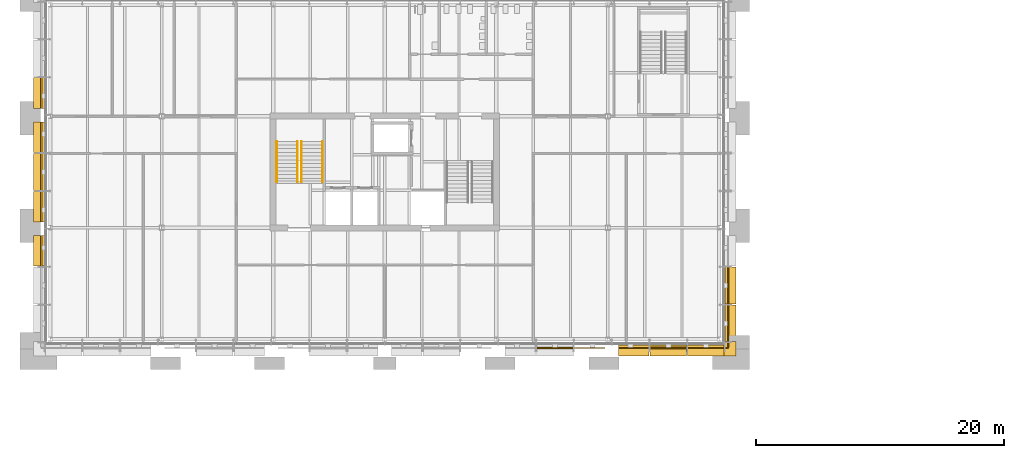
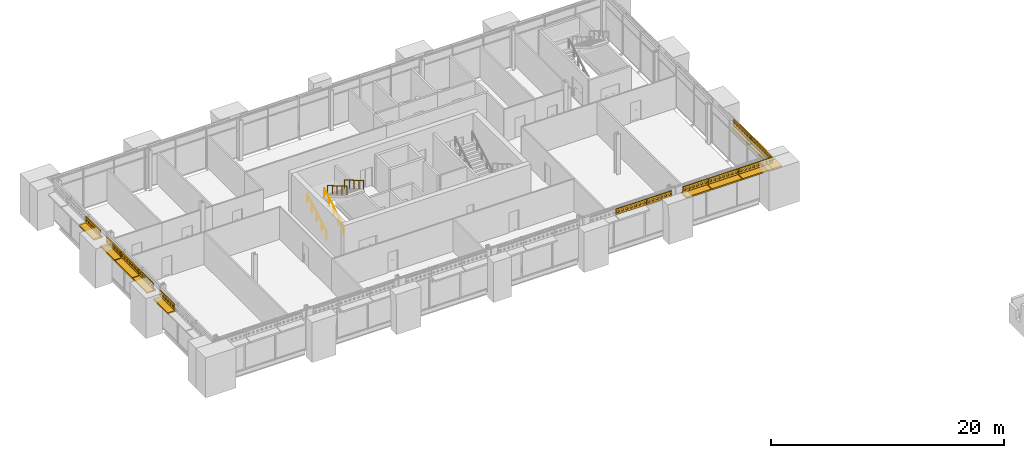
# One storey, part 32 of 37: 23 shading devices, 4 railings.
"""IFC4 building model written with IfcOpenShell, lengths in metres."""

from ifc_helpers import new_model, si_unit, direction, frame, origin, origin_2d, place, context, subcontext, project, spatial, polyline, rectangle, circle, outline, extrude, material, layer, layer_set, type_object, element, save


model = new_model("IFC4")

# Units and contexts
model_context = context("Model", 3, precision=1e-05, world=origin(), true_north=direction((0.0, 1.0)))
body_context = subcontext(model_context, "Body", "Model", "MODEL_VIEW")
ifc_project = project(units=[si_unit("LENGTHUNIT", "METRE"), si_unit("AREAUNIT", "SQUARE_METRE"), si_unit("VOLUMEUNIT", "CUBIC_METRE"), si_unit("PLANEANGLEUNIT", "RADIAN"), si_unit("MASSUNIT", "GRAM", prefix="KILO")], contexts=[model_context])

# Site, building, storey
site_placement = place(None, origin())
site = spatial("IfcSite", under=ifc_project, at=site_placement, CompositionType="ELEMENT")
building_placement = place(site_placement, origin())
building = spatial("IfcBuilding", under=site, at=building_placement, Name="Baradari Gate Terminus", CompositionType="ELEMENT")
storey_placement = place(building_placement, frame((0.0, 0.0, 24.300048828125)))
storey = spatial("IfcBuildingStorey", under=building, at=storey_placement, Name="L05", CompositionType="ELEMENT", Elevation=24.300048828125)

# Shading devices
ifc_material_1 = material(Name="Concrete C40/50 precast", Category="concrete")
ifc_layer_1 = layer(ifc_material_1, 0.14990234375)
ifc_layer_set_1 = layer_set([ifc_layer_1], Name="Concrete C40/50 precast")
shading_device_type_1 = type_object("IfcShadingDeviceType", Name="Chhajja band CJ-1 900x150", PredefinedType="AWNING", material=ifc_layer_set_1)
shading_device_1_placement = place(storey_placement, frame((56.094482421875, 116.080078125, 3.33251953125), z_axis=(0.0, 0.0, 1.0), x_axis=(1.0, 0.0, 0.0)))
element("IfcShadingDevice", 1, at=shading_device_1_placement, inside=storey, type_object=shading_device_type_1, Name="Chhajja band CJ-1 L05/TS bay 16", PredefinedType="AWNING", context=body_context, shape_type="SweptSolid", body=[
    extrude(rectangle(XDim=2.462158203125, YDim=0.89990234375, at=origin_2d()), origin(), (0.0, 0.0, 1.0), 0.14990234375),
])
shading_device_2_placement = place(storey_placement, frame((58.8916015625, 116.080078125, 3.33251953125), z_axis=(0.0, 0.0, 1.0), x_axis=(1.0, 0.0, 0.0)))
element("IfcShadingDevice", 2, at=shading_device_2_placement, inside=storey, type_object=shading_device_type_1, Name="Chhajja band CJ-1 L05/TS bay 17", PredefinedType="AWNING", context=body_context, shape_type="SweptSolid", body=[
    extrude(rectangle(XDim=2.97216796875, YDim=0.89990234375, at=origin_2d()), origin(), (0.0, 0.0, 1.0), 0.14990234375),
])
shading_device_3_placement = place(storey_placement, frame((61.927734375, 116.080078125, 3.33251953125), z_axis=(0.0, 0.0, 1.0), x_axis=(1.0, 0.0, 0.0)))
element("IfcShadingDevice", 3, at=shading_device_3_placement, inside=storey, type_object=shading_device_type_1, Name="Chhajja band CJ-1 L05/TS bay 18", PredefinedType="AWNING", context=body_context, shape_type="SweptSolid", body=[
    extrude(rectangle(XDim=2.939697265625, YDim=0.89990234375, at=origin_2d()), origin(), (0.0, 0.0, 1.0), 0.14990234375),
])
for number, where, z_axis, x_axis, name in (
    (4, (8.080078125, 124.125, 3.33251953125), (0.0, 0.0, 1.0), (0.0, 1.0, 0.0), "Chhajja band CJ-1 L05/TW bay 3"),
    (5, (8.080078125, 127.695068359375, 3.33251953125), (0.0, 0.0, 1.0), (0.0, 1.0, 0.0), "Chhajja band CJ-1 L05/TW bay 4"),
):
    element("IfcShadingDevice", number, at=place(storey_placement, frame(where, z_axis=z_axis, x_axis=x_axis)), inside=storey, type_object=shading_device_type_1, Name=name, PredefinedType="AWNING", context=body_context, shape_type="SweptSolid", body=[
        extrude(rectangle(XDim=2.469970703125, YDim=0.89990234375, at=origin_2d()), origin(), (0.0, 0.0, 1.0), 0.14990234375),
    ])
shading_device_4_placement = place(storey_placement, frame((8.080078125, 130.5, 3.33251953125), z_axis=(0.0, 0.0, 1.0), x_axis=(0.0, 1.0, 0.0)))
element("IfcShadingDevice", 6, at=shading_device_4_placement, inside=storey, type_object=shading_device_type_1, Name="Chhajja band CJ-1 L05/TW bay 5", PredefinedType="AWNING", context=body_context, shape_type="SweptSolid", body=[
    extrude(rectangle(XDim=2.97998046875, YDim=0.89990234375, at=origin_2d()), origin(), (0.0, 0.0, 1.0), 0.14990234375),
])
for number, where, z_axis, x_axis, name in (
    (7, (8.080078125, 133.304931640625, 3.33251953125), (0.0, 0.0, 1.0), (0.0, 1.0, 0.0), "Chhajja band CJ-1 L05/TW bay 6"),
    (8, (8.080078125, 136.875, 3.33251953125), (0.0, 0.0, 1.0), (0.0, 1.0, 0.0), "Chhajja band CJ-1 L05/TW bay 7"),
):
    element("IfcShadingDevice", number, at=place(storey_placement, frame(where, z_axis=z_axis, x_axis=x_axis)), inside=storey, type_object=shading_device_type_1, Name=name, PredefinedType="AWNING", context=body_context, shape_type="SweptSolid", body=[
        extrude(rectangle(XDim=2.469970703125, YDim=0.89990234375, at=origin_2d()), origin(), (0.0, 0.0, 1.0), 0.14990234375),
    ])
shading_device_5_placement = place(storey_placement, frame((63.919921875, 118.2763671875, 3.33251953125), z_axis=(0.0, 0.0, 1.0), x_axis=(0.0, 1.0, 0.0)))
element("IfcShadingDevice", 9, at=shading_device_5_placement, inside=storey, type_object=shading_device_type_1, Name="Chhajja band CJ-1 L05/TE bay 1", PredefinedType="AWNING", context=body_context, shape_type="SweptSolid", body=[
    extrude(rectangle(XDim=2.947509765625, YDim=0.89990234375, at=origin_2d()), origin(), (0.0, 0.0, 1.0), 0.14990234375),
])
shading_device_6_placement = place(storey_placement, frame((63.919921875, 121.320068359375, 3.33251953125), z_axis=(0.0, 0.0, 1.0), x_axis=(0.0, 1.0, 0.0)))
element("IfcShadingDevice", 10, at=shading_device_6_placement, inside=storey, type_object=shading_device_type_1, Name="Chhajja band CJ-1 L05/TE bay 2", PredefinedType="AWNING", context=body_context, shape_type="SweptSolid", body=[
    extrude(rectangle(XDim=2.97998046875, YDim=0.89990234375, at=origin_2d()), origin(), (0.0, 0.0, 1.0), 0.14990234375),
])
shading_device_7_placement = place(storey_placement, frame((0.0, 0.0, 3.33251953125)))
element("IfcShadingDevice", 11, at=shading_device_7_placement, inside=storey, type_object=shading_device_type_1, Name="Chhajja band CJ-1 L05/SE corner", PredefinedType="AWNING", context=body_context, shape_type="SweptSolid", body=[
    extrude(outline(polyline([(64.3701171875, 116.802490234375), (63.469970703125, 116.802490234375), (63.469970703125, 116.530029296875), (63.3974609375, 116.530029296875), (63.3974609375, 115.6298828125), (64.3701171875, 115.6298828125), (64.3701171875, 116.802490234375)])), origin(), (0.0, 0.0, 1.0), 0.14990234375),
])

# Railings
ifc_material_2 = material(Name="Stainless steel 1.4301", Category="steel")
railing_type = type_object("IfcRailingType", Name="Handrail HR-1 900", PredefinedType="HANDRAIL", material=ifc_material_2)
for number, where, name in (
    (12, (27.284912109375, 129.675048828125, 0.175048828125), "Handrail ST-T1 L05 flight 1"),
    (13, (28.965087890625, 129.675048828125, 0.175048828125), "Handrail ST-T1 L05 flight 1"),
):
    element("IfcRailing", number, at=place(storey_placement, frame(where)), inside=storey, type_object=railing_type, Name=name, PredefinedType="HANDRAIL", context=body_context, shape_type="SweptSolid", body=[
        extrude(circle(Radius=0.02392578125, at=origin_2d()), frame((0.0, 0.0, 0.8759765625), z_axis=(0.0, 0.863804395585, 0.503827317807), x_axis=(-1.0, 0.0, 0.0)), (0.0, 0.0, 1.0), 3.8203125),
        extrude(circle(Radius=0.02099609375, at=origin_2d()), origin(), (0.0, 0.0, 1.0), 0.851806640625),
        extrude(circle(Radius=0.02099609375, at=origin_2d()), frame((0.0, 0.824951171875, 0.481201171875)), (0.0, 0.0, 1.0), 0.851806640625),
        extrude(circle(Radius=0.02099609375, at=origin_2d()), frame((0.0, 1.64990234375, 0.96240234375)), (0.0, 0.0, 1.0), 0.851806640625),
        extrude(circle(Radius=0.02099609375, at=origin_2d()), frame((0.0, 2.47509765625, 1.443603515625)), (0.0, 0.0, 1.0), 0.851806640625),
        extrude(circle(Radius=0.02099609375, at=origin_2d()), frame((0.0, 3.300048828125, 1.9248046875)), (0.0, 0.0, 1.0), 0.851806640625),
    ])
for number, where, name in (
    (14, (29.284912109375, 132.97509765625, 2.27490234375), "Handrail ST-T1 L05 flight 2"),
    (15, (30.965087890625, 132.97509765625, 2.27490234375), "Handrail ST-T1 L05 flight 2"),
):
    element("IfcRailing", number, at=place(storey_placement, frame(where)), inside=storey, type_object=railing_type, Name=name, PredefinedType="HANDRAIL", context=body_context, shape_type="SweptSolid", body=[
        extrude(circle(Radius=0.02392578125, at=origin_2d()), frame((0.0, 0.0, 0.8759765625), z_axis=(0.0, -0.863776583165, 0.503874998761), x_axis=(1.0, 0.0, 0.0)), (0.0, 0.0, 1.0), 3.820556640625),
        extrude(circle(Radius=0.02099609375, at=origin_2d()), origin(), (0.0, 0.0, 1.0), 0.851806640625),
        extrude(circle(Radius=0.02099609375, at=origin_2d()), frame((0.0, -0.824951171875, 0.481201171875)), (0.0, 0.0, 1.0), 0.851806640625),
        extrude(circle(Radius=0.02099609375, at=origin_2d()), frame((0.0, -1.64990234375, 0.96240234375)), (0.0, 0.0, 1.0), 0.851806640625),
        extrude(circle(Radius=0.02099609375, at=origin_2d()), frame((0.0, -2.47509765625, 1.44384765625)), (0.0, 0.0, 1.0), 0.851806640625),
        extrude(circle(Radius=0.02099609375, at=origin_2d()), frame((0.0, -3.300048828125, 1.925048828125)), (0.0, 0.0, 1.0), 0.851806640625),
    ])

# Shading devices
ifc_material_3 = material(Name="Concrete C50/60 precast", Category="concrete")
ifc_layer_2 = layer(ifc_material_3, 0.10009765625)
ifc_layer_set_2 = layer_set([ifc_layer_2], Name="Concrete C50/60 precast")
shading_device_type_2 = type_object("IfcShadingDeviceType", Name="Jali screen panel JS-1 100", PredefinedType="SHUTTER", material=ifc_layer_set_2)
shading_device_8_placement = place(storey_placement, frame((48.22900390625, 116.280029296875, 3.583740234375), z_axis=(0.0, 0.0, 1.0), x_axis=(1.0, 0.0, 0.0)))
element("IfcShadingDevice", 16, at=shading_device_8_placement, inside=storey, type_object=shading_device_type_2, Name="Jali screen panel JS-1 L05/TS bay 14", PredefinedType="SHUTTER", context=body_context, shape_type="SweptSolid", body=[
    extrude(outline(polyline([(0.0, 0.0), (3.01220703125, 0.0), (3.01220703125, 0.599853515625), (0.0, 0.599853515625), (0.0, 0.0)]), holes=[polyline([(0.34521484375, 0.300048828125), (0.2802734375, 0.187255859375), (0.150146484375, 0.187255859375), (0.085205078125, 0.300048828125), (0.150146484375, 0.41259765625), (0.2802734375, 0.41259765625), (0.34521484375, 0.300048828125)]), polyline([(0.775390625, 0.300048828125), (0.71044921875, 0.187255859375), (0.58056640625, 0.187255859375), (0.515380859375, 0.300048828125), (0.58056640625, 0.41259765625), (0.71044921875, 0.41259765625), (0.775390625, 0.300048828125)]), polyline([(1.205810546875, 0.300048828125), (1.140869140625, 0.187255859375), (1.0107421875, 0.187255859375), (0.94580078125, 0.300048828125), (1.0107421875, 0.41259765625), (1.140869140625, 0.41259765625), (1.205810546875, 0.300048828125)]), polyline([(1.63623046875, 0.300048828125), (1.571044921875, 0.187255859375), (1.441162109375, 0.187255859375), (1.376220703125, 0.300048828125), (1.441162109375, 0.41259765625), (1.571044921875, 0.41259765625), (1.63623046875, 0.300048828125)]), polyline([(2.06640625, 0.300048828125), (2.00146484375, 0.187255859375), (1.871337890625, 0.187255859375), (1.806396484375, 0.300048828125), (1.871337890625, 0.41259765625), (2.00146484375, 0.41259765625), (2.06640625, 0.300048828125)]), polyline([(2.496826171875, 0.300048828125), (2.431640625, 0.187255859375), (2.3017578125, 0.187255859375), (2.23681640625, 0.300048828125), (2.3017578125, 0.41259765625), (2.431640625, 0.41259765625), (2.496826171875, 0.300048828125)]), polyline([(2.927001953125, 0.300048828125), (2.862060546875, 0.187255859375), (2.732177734375, 0.187255859375), (2.6669921875, 0.300048828125), (2.732177734375, 0.41259765625), (2.862060546875, 0.41259765625), (2.927001953125, 0.300048828125)])]), frame((0.0, 0.050048828125, 0.0), z_axis=(0.0, -1.0, 0.0), x_axis=(1.0, 0.0, 0.0)), (0.0, 0.0, 1.0), 0.10009765625),
])
shading_device_9_placement = place(storey_placement, frame((51.281005859375, 116.280029296875, 3.583740234375), z_axis=(0.0, 0.0, 1.0), x_axis=(1.0, 0.0, 0.0)))
element("IfcShadingDevice", 17, at=shading_device_9_placement, inside=storey, type_object=shading_device_type_2, Name="Jali screen panel JS-1 L05/TS bay 15", PredefinedType="SHUTTER", context=body_context, shape_type="SweptSolid", body=[
    extrude(outline(polyline([(0.0, 0.0), (2.482421875, 0.0), (2.482421875, 0.599853515625), (0.0, 0.599853515625), (0.0, 0.0)]), holes=[polyline([(0.3369140625, 0.300048828125), (0.27197265625, 0.187255859375), (0.141845703125, 0.187255859375), (0.076904296875, 0.300048828125), (0.141845703125, 0.41259765625), (0.27197265625, 0.41259765625), (0.3369140625, 0.300048828125)]), polyline([(0.75048828125, 0.300048828125), (0.685546875, 0.187255859375), (0.5556640625, 0.187255859375), (0.490478515625, 0.300048828125), (0.5556640625, 0.41259765625), (0.685546875, 0.41259765625), (0.75048828125, 0.300048828125)]), polyline([(1.164306640625, 0.300048828125), (1.099365234375, 0.187255859375), (0.96923828125, 0.187255859375), (0.904296875, 0.300048828125), (0.96923828125, 0.41259765625), (1.099365234375, 0.41259765625), (1.164306640625, 0.300048828125)]), polyline([(1.577880859375, 0.300048828125), (1.512939453125, 0.187255859375), (1.383056640625, 0.187255859375), (1.31787109375, 0.300048828125), (1.383056640625, 0.41259765625), (1.512939453125, 0.41259765625), (1.577880859375, 0.300048828125)]), polyline([(1.99169921875, 0.300048828125), (1.9267578125, 0.187255859375), (1.796630859375, 0.187255859375), (1.731689453125, 0.300048828125), (1.796630859375, 0.41259765625), (1.9267578125, 0.41259765625), (1.99169921875, 0.300048828125)]), polyline([(2.4052734375, 0.300048828125), (2.34033203125, 0.187255859375), (2.21044921875, 0.187255859375), (2.145263671875, 0.300048828125), (2.21044921875, 0.41259765625), (2.34033203125, 0.41259765625), (2.4052734375, 0.300048828125)])]), frame((0.0, 0.050048828125, 0.0), z_axis=(0.0, -1.0, 0.0), x_axis=(1.0, 0.0, 0.0)), (0.0, 0.0, 1.0), 0.10009765625),
])
shading_device_10_placement = place(storey_placement, frame((54.86328125, 116.280029296875, 3.583740234375), z_axis=(0.0, 0.0, 1.0), x_axis=(1.0, 0.0, 0.0)))
element("IfcShadingDevice", 18, at=shading_device_10_placement, inside=storey, type_object=shading_device_type_2, Name="Jali screen panel JS-1 L05/TS bay 16", PredefinedType="SHUTTER", context=body_context, shape_type="SweptSolid", body=[
    extrude(outline(polyline([(0.0, 0.0), (2.482177734375, 0.0), (2.482177734375, 0.599853515625), (0.0, 0.599853515625), (0.0, 0.0)]), holes=[polyline([(0.3369140625, 0.300048828125), (0.27197265625, 0.187255859375), (0.141845703125, 0.187255859375), (0.076904296875, 0.300048828125), (0.141845703125, 0.41259765625), (0.27197265625, 0.41259765625), (0.3369140625, 0.300048828125)]), polyline([(0.75048828125, 0.300048828125), (0.685546875, 0.187255859375), (0.5556640625, 0.187255859375), (0.490478515625, 0.300048828125), (0.5556640625, 0.41259765625), (0.685546875, 0.41259765625), (0.75048828125, 0.300048828125)]), polyline([(1.164306640625, 0.300048828125), (1.099365234375, 0.187255859375), (0.96923828125, 0.187255859375), (0.904296875, 0.300048828125), (0.96923828125, 0.41259765625), (1.099365234375, 0.41259765625), (1.164306640625, 0.300048828125)]), polyline([(1.577880859375, 0.300048828125), (1.512939453125, 0.187255859375), (1.383056640625, 0.187255859375), (1.31787109375, 0.300048828125), (1.383056640625, 0.41259765625), (1.512939453125, 0.41259765625), (1.577880859375, 0.300048828125)]), polyline([(1.99169921875, 0.300048828125), (1.9267578125, 0.187255859375), (1.796630859375, 0.187255859375), (1.731689453125, 0.300048828125), (1.796630859375, 0.41259765625), (1.9267578125, 0.41259765625), (1.99169921875, 0.300048828125)]), polyline([(2.4052734375, 0.300048828125), (2.34033203125, 0.187255859375), (2.21044921875, 0.187255859375), (2.145263671875, 0.300048828125), (2.21044921875, 0.41259765625), (2.34033203125, 0.41259765625), (2.4052734375, 0.300048828125)])]), frame((0.0, 0.050048828125, 0.0), z_axis=(0.0, -1.0, 0.0), x_axis=(1.0, 0.0, 0.0)), (0.0, 0.0, 1.0), 0.10009765625),
])
shading_device_11_placement = place(storey_placement, frame((57.385498046875, 116.280029296875, 3.583740234375), z_axis=(0.0, 0.0, 1.0), x_axis=(1.0, 0.0, 0.0)))
element("IfcShadingDevice", 19, at=shading_device_11_placement, inside=storey, type_object=shading_device_type_2, Name="Jali screen panel JS-1 L05/TS bay 17", PredefinedType="SHUTTER", context=body_context, shape_type="SweptSolid", body=[
    extrude(outline(polyline([(0.0, 0.0), (3.01220703125, 0.0), (3.01220703125, 0.599853515625), (0.0, 0.599853515625), (0.0, 0.0)]), holes=[polyline([(0.34521484375, 0.300048828125), (0.2802734375, 0.187255859375), (0.150146484375, 0.187255859375), (0.085205078125, 0.300048828125), (0.150146484375, 0.41259765625), (0.2802734375, 0.41259765625), (0.34521484375, 0.300048828125)]), polyline([(0.775390625, 0.300048828125), (0.71044921875, 0.187255859375), (0.58056640625, 0.187255859375), (0.515380859375, 0.300048828125), (0.58056640625, 0.41259765625), (0.71044921875, 0.41259765625), (0.775390625, 0.300048828125)]), polyline([(1.205810546875, 0.300048828125), (1.140869140625, 0.187255859375), (1.0107421875, 0.187255859375), (0.94580078125, 0.300048828125), (1.0107421875, 0.41259765625), (1.140869140625, 0.41259765625), (1.205810546875, 0.300048828125)]), polyline([(1.63623046875, 0.300048828125), (1.571044921875, 0.187255859375), (1.441162109375, 0.187255859375), (1.376220703125, 0.300048828125), (1.441162109375, 0.41259765625), (1.571044921875, 0.41259765625), (1.63623046875, 0.300048828125)]), polyline([(2.06640625, 0.300048828125), (2.00146484375, 0.187255859375), (1.871337890625, 0.187255859375), (1.806396484375, 0.300048828125), (1.871337890625, 0.41259765625), (2.00146484375, 0.41259765625), (2.06640625, 0.300048828125)]), polyline([(2.496826171875, 0.300048828125), (2.431640625, 0.187255859375), (2.3017578125, 0.187255859375), (2.23681640625, 0.300048828125), (2.3017578125, 0.41259765625), (2.431640625, 0.41259765625), (2.496826171875, 0.300048828125)]), polyline([(2.927001953125, 0.300048828125), (2.862060546875, 0.187255859375), (2.732177734375, 0.187255859375), (2.6669921875, 0.300048828125), (2.732177734375, 0.41259765625), (2.862060546875, 0.41259765625), (2.927001953125, 0.300048828125)])]), frame((0.0, 0.050048828125, 0.0), z_axis=(0.0, -1.0, 0.0), x_axis=(1.0, 0.0, 0.0)), (0.0, 0.0, 1.0), 0.10009765625),
])
shading_device_12_placement = place(storey_placement, frame((60.437744140625, 116.280029296875, 3.583740234375), z_axis=(0.0, 0.0, 1.0), x_axis=(1.0, 0.0, 0.0)))
element("IfcShadingDevice", 20, at=shading_device_12_placement, inside=storey, type_object=shading_device_type_2, Name="Jali screen panel JS-1 L05/TS bay 18", PredefinedType="SHUTTER", context=body_context, shape_type="SweptSolid", body=[
    extrude(outline(polyline([(0.0, 0.0), (3.2998046875, 0.0), (3.2998046875, 0.599853515625), (0.0, 0.599853515625), (0.0, 0.0)]), holes=[polyline([(0.336181640625, 0.300048828125), (0.271240234375, 0.187255859375), (0.14111328125, 0.187255859375), (0.076171875, 0.300048828125), (0.14111328125, 0.41259765625), (0.271240234375, 0.41259765625), (0.336181640625, 0.300048828125)]), polyline([(0.748779296875, 0.300048828125), (0.68359375, 0.187255859375), (0.5537109375, 0.187255859375), (0.48876953125, 0.300048828125), (0.5537109375, 0.41259765625), (0.68359375, 0.41259765625), (0.748779296875, 0.300048828125)]), polyline([(1.1611328125, 0.300048828125), (1.09619140625, 0.187255859375), (0.966064453125, 0.187255859375), (0.901123046875, 0.300048828125), (0.966064453125, 0.41259765625), (1.09619140625, 0.41259765625), (1.1611328125, 0.300048828125)]), polyline([(1.57373046875, 0.300048828125), (1.508544921875, 0.187255859375), (1.378662109375, 0.187255859375), (1.313720703125, 0.300048828125), (1.378662109375, 0.41259765625), (1.508544921875, 0.41259765625), (1.57373046875, 0.300048828125)]), polyline([(1.986083984375, 0.300048828125), (1.921142578125, 0.187255859375), (1.791015625, 0.187255859375), (1.72607421875, 0.300048828125), (1.791015625, 0.41259765625), (1.921142578125, 0.41259765625), (1.986083984375, 0.300048828125)]), polyline([(2.3984375, 0.300048828125), (2.33349609375, 0.187255859375), (2.20361328125, 0.187255859375), (2.138671875, 0.300048828125), (2.20361328125, 0.41259765625), (2.33349609375, 0.41259765625), (2.3984375, 0.300048828125)]), polyline([(2.81103515625, 0.300048828125), (2.74609375, 0.187255859375), (2.615966796875, 0.187255859375), (2.551025390625, 0.300048828125), (2.615966796875, 0.41259765625), (2.74609375, 0.41259765625), (2.81103515625, 0.300048828125)]), polyline([(3.223388671875, 0.300048828125), (3.158447265625, 0.187255859375), (3.028564453125, 0.187255859375), (2.96337890625, 0.300048828125), (3.028564453125, 0.41259765625), (3.158447265625, 0.41259765625), (3.223388671875, 0.300048828125)])]), frame((0.0, 0.050048828125, 0.0), z_axis=(0.0, -1.0, 0.0), x_axis=(1.0, 0.0, 0.0)), (0.0, 0.0, 1.0), 0.10009765625),
])
for number, where, z_axis, x_axis, name in (
    (21, (8.280029296875, 122.8701171875, 3.583740234375), (0.0, 0.0, 1.0), (0.0, 1.0, 0.0), "Jali screen panel JS-1 L05/TW bay 3"),
    (22, (8.280029296875, 126.4599609375, 3.583740234375), (0.0, 0.0, 1.0), (0.0, 1.0, 0.0), "Jali screen panel JS-1 L05/TW bay 4"),
):
    element("IfcShadingDevice", number, at=place(storey_placement, frame(where, z_axis=z_axis, x_axis=x_axis)), inside=storey, type_object=shading_device_type_2, Name=name, PredefinedType="SHUTTER", context=body_context, shape_type="SweptSolid", body=[
        extrude(outline(polyline([(0.0, 0.0), (2.489990234375, 0.0), (2.489990234375, 0.599853515625), (0.0, 0.599853515625), (0.0, 0.0)]), holes=[polyline([(0.33740234375, 0.300048828125), (0.2724609375, 0.187255859375), (0.142578125, 0.187255859375), (0.077392578125, 0.300048828125), (0.142578125, 0.41259765625), (0.2724609375, 0.41259765625), (0.33740234375, 0.300048828125)]), polyline([(0.75244140625, 0.300048828125), (0.6875, 0.187255859375), (0.5576171875, 0.187255859375), (0.492431640625, 0.300048828125), (0.5576171875, 0.41259765625), (0.6875, 0.41259765625), (0.75244140625, 0.300048828125)]), polyline([(1.16748046875, 0.300048828125), (1.1025390625, 0.187255859375), (0.972412109375, 0.187255859375), (0.907470703125, 0.300048828125), (0.972412109375, 0.41259765625), (1.1025390625, 0.41259765625), (1.16748046875, 0.300048828125)]), polyline([(1.58251953125, 0.300048828125), (1.517578125, 0.187255859375), (1.387451171875, 0.187255859375), (1.322509765625, 0.300048828125), (1.387451171875, 0.41259765625), (1.517578125, 0.41259765625), (1.58251953125, 0.300048828125)]), polyline([(1.99755859375, 0.300048828125), (1.9326171875, 0.187255859375), (1.802490234375, 0.187255859375), (1.737548828125, 0.300048828125), (1.802490234375, 0.41259765625), (1.9326171875, 0.41259765625), (1.99755859375, 0.300048828125)]), polyline([(2.41259765625, 0.300048828125), (2.347412109375, 0.187255859375), (2.217529296875, 0.187255859375), (2.152587890625, 0.300048828125), (2.217529296875, 0.41259765625), (2.347412109375, 0.41259765625), (2.41259765625, 0.300048828125)])]), frame((0.0, 0.050048828125, 0.0), z_axis=(0.0, -1.0, 0.0), x_axis=(1.0, 0.0, 0.0)), (0.0, 0.0, 1.0), 0.10009765625),
    ])
shading_device_13_placement = place(storey_placement, frame((8.280029296875, 128.989990234375, 3.583740234375), z_axis=(0.0, 0.0, 1.0), x_axis=(0.0, 1.0, 0.0)))
element("IfcShadingDevice", 23, at=shading_device_13_placement, inside=storey, type_object=shading_device_type_2, Name="Jali screen panel JS-1 L05/TW bay 5", PredefinedType="SHUTTER", context=body_context, shape_type="SweptSolid", body=[
    extrude(outline(polyline([(0.0, 0.0), (3.02001953125, 0.0), (3.02001953125, 0.599853515625), (0.0, 0.599853515625), (0.0, 0.0)]), holes=[polyline([(0.345703125, 0.300048828125), (0.28076171875, 0.187255859375), (0.150634765625, 0.187255859375), (0.085693359375, 0.300048828125), (0.150634765625, 0.41259765625), (0.28076171875, 0.41259765625), (0.345703125, 0.300048828125)]), polyline([(0.777099609375, 0.300048828125), (0.712158203125, 0.187255859375), (0.58203125, 0.187255859375), (0.51708984375, 0.300048828125), (0.58203125, 0.41259765625), (0.712158203125, 0.41259765625), (0.777099609375, 0.300048828125)]), polyline([(1.20849609375, 0.300048828125), (1.1435546875, 0.187255859375), (1.013671875, 0.187255859375), (0.948486328125, 0.300048828125), (1.013671875, 0.41259765625), (1.1435546875, 0.41259765625), (1.20849609375, 0.300048828125)]), polyline([(1.639892578125, 0.300048828125), (1.574951171875, 0.187255859375), (1.445068359375, 0.187255859375), (1.3798828125, 0.300048828125), (1.445068359375, 0.41259765625), (1.574951171875, 0.41259765625), (1.639892578125, 0.300048828125)]), polyline([(2.071533203125, 0.300048828125), (2.00634765625, 0.187255859375), (1.87646484375, 0.187255859375), (1.8115234375, 0.300048828125), (1.87646484375, 0.41259765625), (2.00634765625, 0.41259765625), (2.071533203125, 0.300048828125)]), polyline([(2.5029296875, 0.300048828125), (2.437744140625, 0.187255859375), (2.307861328125, 0.187255859375), (2.242919921875, 0.300048828125), (2.307861328125, 0.41259765625), (2.437744140625, 0.41259765625), (2.5029296875, 0.300048828125)]), polyline([(2.934326171875, 0.300048828125), (2.869384765625, 0.187255859375), (2.7392578125, 0.187255859375), (2.67431640625, 0.300048828125), (2.7392578125, 0.41259765625), (2.869384765625, 0.41259765625), (2.934326171875, 0.300048828125)])]), frame((0.0, 0.050048828125, 0.0), z_axis=(0.0, -1.0, 0.0), x_axis=(1.0, 0.0, 0.0)), (0.0, 0.0, 1.0), 0.10009765625),
])
for number, where, z_axis, x_axis, name in (
    (24, (8.280029296875, 132.050048828125, 3.583740234375), (0.0, 0.0, 1.0), (0.0, 1.0, 0.0), "Jali screen panel JS-1 L05/TW bay 6"),
    (25, (8.280029296875, 135.639892578125, 3.583740234375), (0.0, 0.0, 1.0), (0.0, 1.0, 0.0), "Jali screen panel JS-1 L05/TW bay 7"),
):
    element("IfcShadingDevice", number, at=place(storey_placement, frame(where, z_axis=z_axis, x_axis=x_axis)), inside=storey, type_object=shading_device_type_2, Name=name, PredefinedType="SHUTTER", context=body_context, shape_type="SweptSolid", body=[
        extrude(outline(polyline([(0.0, 0.0), (2.489990234375, 0.0), (2.489990234375, 0.599853515625), (0.0, 0.599853515625), (0.0, 0.0)]), holes=[polyline([(0.33740234375, 0.300048828125), (0.2724609375, 0.187255859375), (0.142578125, 0.187255859375), (0.077392578125, 0.300048828125), (0.142578125, 0.41259765625), (0.2724609375, 0.41259765625), (0.33740234375, 0.300048828125)]), polyline([(0.75244140625, 0.300048828125), (0.6875, 0.187255859375), (0.5576171875, 0.187255859375), (0.492431640625, 0.300048828125), (0.5576171875, 0.41259765625), (0.6875, 0.41259765625), (0.75244140625, 0.300048828125)]), polyline([(1.16748046875, 0.300048828125), (1.1025390625, 0.187255859375), (0.972412109375, 0.187255859375), (0.907470703125, 0.300048828125), (0.972412109375, 0.41259765625), (1.1025390625, 0.41259765625), (1.16748046875, 0.300048828125)]), polyline([(1.58251953125, 0.300048828125), (1.517578125, 0.187255859375), (1.387451171875, 0.187255859375), (1.322509765625, 0.300048828125), (1.387451171875, 0.41259765625), (1.517578125, 0.41259765625), (1.58251953125, 0.300048828125)]), polyline([(1.99755859375, 0.300048828125), (1.9326171875, 0.187255859375), (1.802490234375, 0.187255859375), (1.737548828125, 0.300048828125), (1.802490234375, 0.41259765625), (1.9326171875, 0.41259765625), (1.99755859375, 0.300048828125)]), polyline([(2.41259765625, 0.300048828125), (2.347412109375, 0.187255859375), (2.217529296875, 0.187255859375), (2.152587890625, 0.300048828125), (2.217529296875, 0.41259765625), (2.347412109375, 0.41259765625), (2.41259765625, 0.300048828125)])]), frame((0.0, 0.050048828125, 0.0), z_axis=(0.0, -1.0, 0.0), x_axis=(1.0, 0.0, 0.0)), (0.0, 0.0, 1.0), 0.10009765625),
    ])
shading_device_14_placement = place(storey_placement, frame((63.719970703125, 116.362548828125, 3.583740234375), z_axis=(0.0, 0.0, 1.0), x_axis=(0.0, 1.0, 0.0)))
element("IfcShadingDevice", 26, at=shading_device_14_placement, inside=storey, type_object=shading_device_type_2, Name="Jali screen panel JS-1 L05/TE bay 1", PredefinedType="SHUTTER", context=body_context, shape_type="SweptSolid", body=[
    extrude(outline(polyline([(0.0, 0.0), (3.407470703125, 0.0), (3.407470703125, 0.599853515625), (0.0, 0.599853515625), (0.0, 0.0)]), holes=[polyline([(0.343017578125, 0.300048828125), (0.278076171875, 0.187255859375), (0.14794921875, 0.187255859375), (0.0830078125, 0.300048828125), (0.14794921875, 0.41259765625), (0.278076171875, 0.41259765625), (0.343017578125, 0.300048828125)]), polyline([(0.768798828125, 0.300048828125), (0.703857421875, 0.187255859375), (0.573974609375, 0.187255859375), (0.5087890625, 0.300048828125), (0.573974609375, 0.41259765625), (0.703857421875, 0.41259765625), (0.768798828125, 0.300048828125)]), polyline([(1.19482421875, 0.300048828125), (1.1298828125, 0.187255859375), (0.999755859375, 0.187255859375), (0.934814453125, 0.300048828125), (0.999755859375, 0.41259765625), (1.1298828125, 0.41259765625), (1.19482421875, 0.300048828125)]), polyline([(1.620849609375, 0.300048828125), (1.5556640625, 0.187255859375), (1.42578125, 0.187255859375), (1.36083984375, 0.300048828125), (1.42578125, 0.41259765625), (1.5556640625, 0.41259765625), (1.620849609375, 0.300048828125)]), polyline([(2.046630859375, 0.300048828125), (1.981689453125, 0.187255859375), (1.851806640625, 0.187255859375), (1.78662109375, 0.300048828125), (1.851806640625, 0.41259765625), (1.981689453125, 0.41259765625), (2.046630859375, 0.300048828125)]), polyline([(2.47265625, 0.300048828125), (2.40771484375, 0.187255859375), (2.277587890625, 0.187255859375), (2.212646484375, 0.300048828125), (2.277587890625, 0.41259765625), (2.40771484375, 0.41259765625), (2.47265625, 0.300048828125)]), polyline([(2.898681640625, 0.300048828125), (2.83349609375, 0.187255859375), (2.70361328125, 0.187255859375), (2.638671875, 0.300048828125), (2.70361328125, 0.41259765625), (2.83349609375, 0.41259765625), (2.898681640625, 0.300048828125)]), polyline([(3.324462890625, 0.300048828125), (3.259521484375, 0.187255859375), (3.129638671875, 0.187255859375), (3.064453125, 0.300048828125), (3.129638671875, 0.41259765625), (3.259521484375, 0.41259765625), (3.324462890625, 0.300048828125)])]), frame((0.0, 0.050048828125, 0.0), z_axis=(0.0, -1.0, 0.0), x_axis=(1.0, 0.0, 0.0)), (0.0, 0.0, 1.0), 0.10009765625),
])
shading_device_15_placement = place(storey_placement, frame((63.719970703125, 119.81005859375, 3.583740234375), z_axis=(0.0, 0.0, 1.0), x_axis=(0.0, 1.0, 0.0)))
element("IfcShadingDevice", 27, at=shading_device_15_placement, inside=storey, type_object=shading_device_type_2, Name="Jali screen panel JS-1 L05/TE bay 2", PredefinedType="SHUTTER", context=body_context, shape_type="SweptSolid", body=[
    extrude(outline(polyline([(0.0, 0.0), (3.02001953125, 0.0), (3.02001953125, 0.599853515625), (0.0, 0.599853515625), (0.0, 0.0)]), holes=[polyline([(0.345703125, 0.300048828125), (0.28076171875, 0.187255859375), (0.150634765625, 0.187255859375), (0.085693359375, 0.300048828125), (0.150634765625, 0.41259765625), (0.28076171875, 0.41259765625), (0.345703125, 0.300048828125)]), polyline([(0.777099609375, 0.300048828125), (0.712158203125, 0.187255859375), (0.58203125, 0.187255859375), (0.51708984375, 0.300048828125), (0.58203125, 0.41259765625), (0.712158203125, 0.41259765625), (0.777099609375, 0.300048828125)]), polyline([(1.20849609375, 0.300048828125), (1.1435546875, 0.187255859375), (1.013671875, 0.187255859375), (0.948486328125, 0.300048828125), (1.013671875, 0.41259765625), (1.1435546875, 0.41259765625), (1.20849609375, 0.300048828125)]), polyline([(1.639892578125, 0.300048828125), (1.574951171875, 0.187255859375), (1.445068359375, 0.187255859375), (1.3798828125, 0.300048828125), (1.445068359375, 0.41259765625), (1.574951171875, 0.41259765625), (1.639892578125, 0.300048828125)]), polyline([(2.071533203125, 0.300048828125), (2.00634765625, 0.187255859375), (1.87646484375, 0.187255859375), (1.8115234375, 0.300048828125), (1.87646484375, 0.41259765625), (2.00634765625, 0.41259765625), (2.071533203125, 0.300048828125)]), polyline([(2.5029296875, 0.300048828125), (2.437744140625, 0.187255859375), (2.307861328125, 0.187255859375), (2.242919921875, 0.300048828125), (2.307861328125, 0.41259765625), (2.437744140625, 0.41259765625), (2.5029296875, 0.300048828125)]), polyline([(2.934326171875, 0.300048828125), (2.869384765625, 0.187255859375), (2.7392578125, 0.187255859375), (2.67431640625, 0.300048828125), (2.7392578125, 0.41259765625), (2.869384765625, 0.41259765625), (2.934326171875, 0.300048828125)])]), frame((0.0, 0.050048828125, 0.0), z_axis=(0.0, -1.0, 0.0), x_axis=(1.0, 0.0, 0.0)), (0.0, 0.0, 1.0), 0.10009765625),
])

save(model, "model.ifc")
